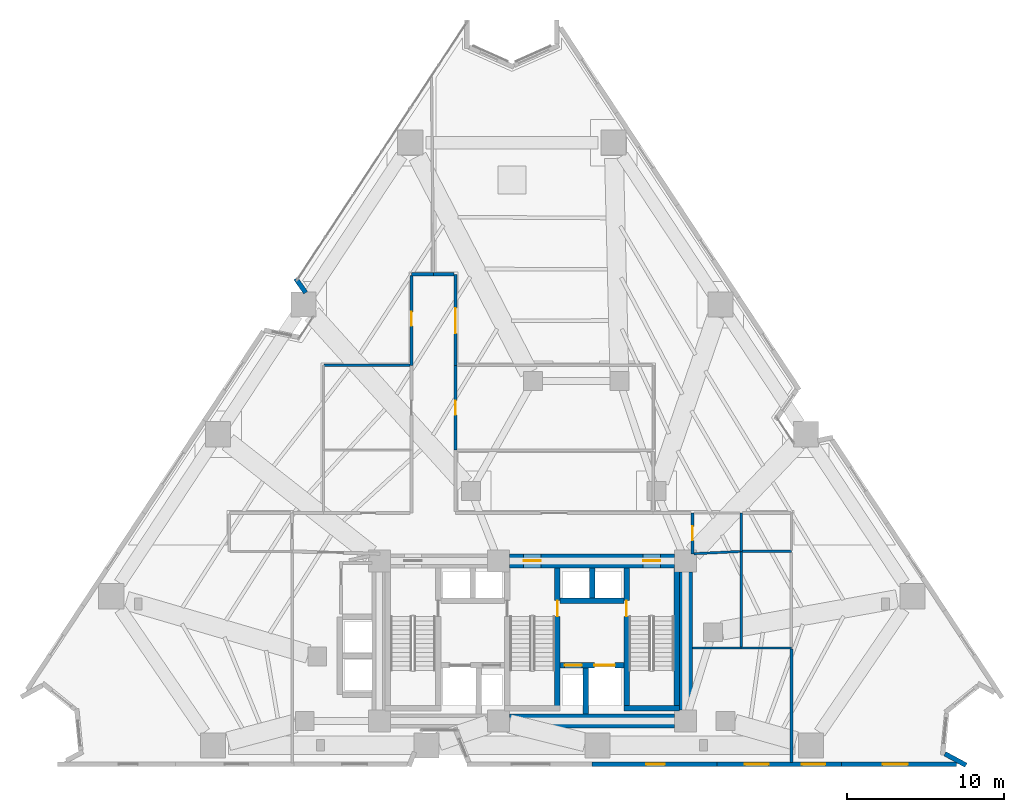
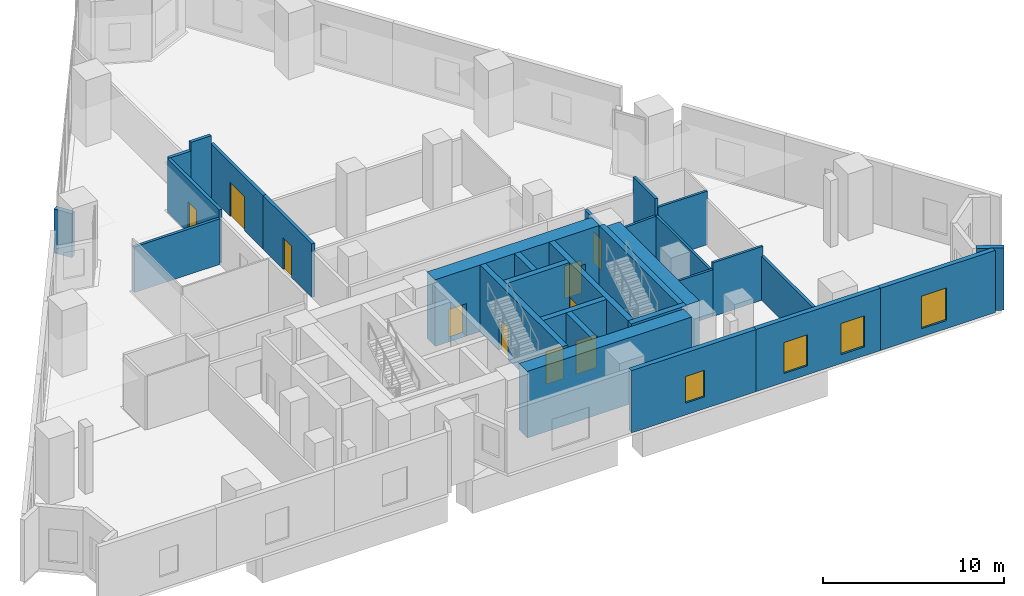
# One storey, part 9 of 15: 30 walls, 10 doors, 4 windows, 14 openings.
"""IFC4 building model written with IfcOpenShell, lengths in metres."""

from ifc_helpers import new_model, si_unit, direction, frame, frame_2d, origin, place, context, subcontext, project, spatial, rectangle, extrude, material, layer, layer_set, type_object, element, fill, save


model = new_model("IFC4")

# Units and contexts
model_context = context("Model", 3, precision=1e-05, world=origin(), true_north=direction((0.0, 1.0)))
body_context = subcontext(model_context, "Body", "Model", "MODEL_VIEW")
ifc_project = project(units=[si_unit("LENGTHUNIT", "METRE"), si_unit("AREAUNIT", "SQUARE_METRE"), si_unit("VOLUMEUNIT", "CUBIC_METRE"), si_unit("PLANEANGLEUNIT", "RADIAN"), si_unit("MASSUNIT", "GRAM", prefix="KILO")], contexts=[model_context])

# Site, building, storey
site_placement = place(None, origin())
site = spatial("IfcSite", under=ifc_project, at=site_placement, CompositionType="ELEMENT")
building_placement = place(site_placement, origin())
building = spatial("IfcBuilding", under=site, at=building_placement, Name="Almagre Mirador Tower", CompositionType="ELEMENT")
storey_placement = place(building_placement, frame((0.0, 0.0, 8.39990234375)))
storey = spatial("IfcBuildingStorey", under=building, at=storey_placement, Name="L01", CompositionType="ELEMENT", Elevation=8.39990234375)

# Walls
ifc_material_1 = material(Name="Precast concrete C50/60", Category="concrete")
ifc_layer_1 = layer(ifc_material_1, 0.300048828125)
ifc_layer_set_1 = layer_set([ifc_layer_1], Name="Precast concrete C50/60")
wall_type_1 = type_object("IfcWallType", Name="WAL-EXT-300", PredefinedType="SOLIDWALL", material=ifc_layer_set_1)
wall_1_placement = place(storey_placement, frame((22.85986328125, 31.830078125, 0.0), z_axis=(0.0, 0.0, 1.0), x_axis=(-0.572690112137, 0.819771941128, 0.0)))
element("IfcWall", 1, at=wall_1_placement, inside=storey, type_object=wall_type_1, Name="L01 expressed almagre precast frame wall 02", PredefinedType="SOLIDWALL", context=body_context, shape_type="SweptSolid", body=[
    extrude(rectangle(XDim=1.103759765625, YDim=0.300048828125, at=frame_2d((0.5517578125, 0.0))), origin(), (0.0, 0.0, 1.0), 2.97509765625),
])
wall_2_placement = place(storey_placement, frame((63.576416015625, 2.459716796875, 0.0), z_axis=(0.0, 0.0, 1.0), x_axis=(0.88021477324, -0.474575550329, 0.0)))
element("IfcWall", 2, at=wall_2_placement, inside=storey, type_object=wall_type_1, Name="L01 expressed almagre precast frame wall 19", PredefinedType="SOLIDWALL", context=body_context, shape_type="SweptSolid", body=[
    extrude(rectangle(XDim=1.530029296875, YDim=0.300048828125, at=frame_2d((0.76513671875, 0.0))), origin(), (0.0, 0.0, 1.0), 4.2001953125),
])

# Wall, opening, window
wall_3_placement = place(storey_placement, frame((64.324951171875, 1.800048828125, 0.0), z_axis=(0.0, 0.0, 1.0), x_axis=(-1.0, 0.0, 0.0)))
wall_3 = element("IfcWall", 3, at=wall_3_placement, inside=storey, type_object=wall_type_1, Name="L01 expressed almagre precast frame wall 20", PredefinedType="SOLIDWALL", context=body_context, shape_type="SweptSolid", body=[
    extrude(rectangle(XDim=7.33203125, YDim=0.300048828125, at=frame_2d((3.666015625, 0.0))), origin(), (0.0, 0.0, 1.0), 4.2001953125),
])
opening_1_placement = place(wall_3_placement, frame((3.110107421875, 0.0, 0.550048828125)))
opening_1 = element("IfcOpeningElement", 4, at=opening_1_placement, cuts=wall_3, Name="Opening WN-06", PredefinedType="OPENING", context=body_context, shape_type="SweptSolid", body=[
    extrude(rectangle(XDim=1.60009765625, YDim=2.199951171875, at=frame_2d((0.800048828125, 1.10009765625))), frame((0.0, 0.159902, 0.0), z_axis=(0.0, -1.0, 0.0), x_axis=(1.0, 0.0, 0.0)), (0.0, 0.0, 1.0), 0.320049),
])
ifc_material_2 = material(Name="Dark solar-control laminated hurricane glass", Category="glass")
window_type_1 = type_object("IfcWindowType", Name="WIN-1600X2200", PartitioningType="DOUBLE_PANEL_VERTICAL", PredefinedType="WINDOW", material=ifc_material_2)
window_1_placement = place(opening_1_placement, origin())
window_1 = element("IfcWindow", 5, at=window_1_placement, inside=storey, type_object=window_type_1, Name="L01 recessed hurricane window L01-GAL2-11", OverallHeight=2.199951171875, OverallWidth=1.60009765625, PartitioningType="SINGLE_PANEL", PredefinedType="WINDOW", context=body_context, shape_type="SweptSolid", body=[
    extrude(rectangle(XDim=1.60009765625, YDim=2.199951171875, at=frame_2d((0.800048828125, 1.10009765625))), frame((0.0, 0.030029296875, 0.0), z_axis=(0.0, -1.0, 0.0), x_axis=(1.0, 0.0, 0.0)), (0.0, 0.0, 1.0), 0.06005859375),
])
fill(opening_1, window_1)

# Wall, openings, windows
wall_4_placement = place(storey_placement, frame((56.992919921875, 1.800048828125, 0.0), z_axis=(0.0, 0.0, 1.0), x_axis=(-1.0, 0.0, 0.0)))
wall_4 = element("IfcWall", 6, at=wall_4_placement, inside=storey, type_object=wall_type_1, Name="L01 expressed almagre precast frame wall 21", PredefinedType="SOLIDWALL", context=body_context, shape_type="SweptSolid", body=[
    extrude(rectangle(XDim=7.947021484375, YDim=0.300048828125, at=frame_2d((3.9736328125, 0.0))), origin(), (0.0, 0.0, 1.0), 4.2001953125),
])
opening_2_placement = place(wall_4_placement, frame((4.64990234375, 0.0, 0.60009765625)))
opening_2 = element("IfcOpeningElement", 7, at=opening_2_placement, cuts=wall_4, Name="Opening WN-03", PredefinedType="OPENING", context=body_context, shape_type="SweptSolid", body=[
    extrude(rectangle(XDim=1.5, YDim=2.10009765625, at=frame_2d((0.75, 1.050048828125))), frame((0.0, 0.159902, 0.0), z_axis=(0.0, -1.0, 0.0), x_axis=(1.0, 0.0, 0.0)), (0.0, 0.0, 1.0), 0.320049),
])
opening_3_placement = place(wall_4_placement, frame((1.02490234375, 0.0, 0.60009765625)))
opening_3 = element("IfcOpeningElement", 8, at=opening_3_placement, cuts=wall_4, Name="Opening WN-03", PredefinedType="OPENING", context=body_context, shape_type="SweptSolid", body=[
    extrude(rectangle(XDim=1.5, YDim=2.10009765625, at=frame_2d((0.75, 1.050048828125))), frame((0.0, 0.159902, 0.0), z_axis=(0.0, -1.0, 0.0), x_axis=(1.0, 0.0, 0.0)), (0.0, 0.0, 1.0), 0.320049),
])
ifc_material_3 = material(Name="Dark solar-control laminated hurricane glass", Category="glass")
window_type_2 = type_object("IfcWindowType", Name="WIN-1500X2100", PartitioningType="DOUBLE_PANEL_VERTICAL", PredefinedType="WINDOW", material=ifc_material_3)
window_2_placement = place(opening_2_placement, origin())
window_2 = element("IfcWindow", 9, at=window_2_placement, inside=storey, type_object=window_type_2, Name="L01 recessed hurricane window L01-BKS-1", OverallHeight=2.10009765625, OverallWidth=1.5, PartitioningType="SINGLE_PANEL", PredefinedType="WINDOW", context=body_context, shape_type="SweptSolid", body=[
    extrude(rectangle(XDim=1.5, YDim=2.10009765625, at=frame_2d((0.75, 1.050048828125))), frame((0.0, 0.030029296875, 0.0), z_axis=(0.0, -1.0, 0.0), x_axis=(1.0, 0.0, 0.0)), (0.0, 0.0, 1.0), 0.06005859375),
])
fill(opening_2, window_2)
window_3_placement = place(opening_3_placement, origin())
window_3 = element("IfcWindow", 10, at=window_3_placement, inside=storey, type_object=window_type_2, Name="L01 recessed hurricane window L01-GAL2-11", OverallHeight=2.10009765625, OverallWidth=1.5, PartitioningType="SINGLE_PANEL", PredefinedType="WINDOW", context=body_context, shape_type="SweptSolid", body=[
    extrude(rectangle(XDim=1.5, YDim=2.10009765625, at=frame_2d((0.75, 1.050048828125))), frame((0.0, 0.030029296875, 0.0), z_axis=(0.0, -1.0, 0.0), x_axis=(1.0, 0.0, 0.0)), (0.0, 0.0, 1.0), 0.06005859375),
])
fill(opening_3, window_3)

# Wall, opening, window
wall_5_placement = place(storey_placement, frame((49.0458984375, 1.800048828125, 0.0), z_axis=(0.0, 0.0, 1.0), x_axis=(-1.0, 0.0, 0.0)))
wall_5 = element("IfcWall", 11, at=wall_5_placement, inside=storey, type_object=wall_type_1, Name="L01 expressed almagre precast frame wall 22", PredefinedType="SOLIDWALL", context=body_context, shape_type="SweptSolid", body=[
    extrude(rectangle(XDim=7.94677734375, YDim=0.300048828125, at=frame_2d((3.973388671875, 0.0))), origin(), (0.0, 0.0, 1.0), 4.2001953125),
])
opening_4_placement = place(wall_5_placement, frame((3.300048828125, 0.0, 0.800048828125)))
opening_4 = element("IfcOpeningElement", 12, at=opening_4_placement, cuts=wall_5, Name="Opening WN-04", PredefinedType="OPENING", context=body_context, shape_type="SweptSolid", body=[
    extrude(rectangle(XDim=1.199951171875, YDim=1.800048828125, at=frame_2d((0.60009765625, 0.89990234375))), frame((0.0, 0.159902, 0.0), z_axis=(0.0, -1.0, 0.0), x_axis=(1.0, 0.0, 0.0)), (0.0, 0.0, 1.0), 0.320049),
])
ifc_material_4 = material(Name="Dark solar-control laminated hurricane glass", Category="glass")
window_type_3 = type_object("IfcWindowType", Name="WIN-1200X1800", PartitioningType="SINGLE_PANEL", PredefinedType="WINDOW", material=ifc_material_4)
window_4_placement = place(opening_4_placement, origin())
window_4 = element("IfcWindow", 13, at=window_4_placement, inside=storey, type_object=window_type_3, Name="L01 recessed hurricane window L01-BKS-1", OverallHeight=1.800048828125, OverallWidth=1.199951171875, PartitioningType="SINGLE_PANEL", PredefinedType="WINDOW", context=body_context, shape_type="SweptSolid", body=[
    extrude(rectangle(XDim=1.199951171875, YDim=1.800048828125, at=frame_2d((0.60009765625, 0.89990234375))), frame((0.0, 0.030029296875, 0.0), z_axis=(0.0, -1.0, 0.0), x_axis=(1.0, 0.0, 0.0)), (0.0, 0.0, 1.0), 0.06005859375),
])
fill(opening_4, window_4)

# Walls
ifc_material_5 = material(Name="Gypsum acoustic stud partition", Category="other")
ifc_layer_2 = layer(ifc_material_5, 0.14990234375)
ifc_layer_set_2 = layer_set([ifc_layer_2], Name="Gypsum acoustic stud partition")
wall_type_2 = type_object("IfcWallType", Name="WAL-PRT-150-STD", PredefinedType="PARTITIONING", material=ifc_layer_set_2)
wall_6_placement = place(storey_placement, frame((50.60009765625, 9.199951171875, 0.0), z_axis=(0.0, 0.0, 1.0), x_axis=(-1.0, 0.0, 0.0)))
element("IfcWall", 14, at=wall_6_placement, inside=storey, type_object=wall_type_2, Name="L01 interior partition 016", PredefinedType="PARTITIONING", context=body_context, shape_type="SweptSolid", body=[
    extrude(rectangle(XDim=3.10009765625, YDim=0.14990234375, at=frame_2d((1.550048828125, 0.0))), origin(), (0.0, 0.0, 1.0), 3.1591796875),
])
wall_7_placement = place(storey_placement, frame((53.800048828125, 9.199951171875, 0.0), z_axis=(0.0, 0.0, 1.0), x_axis=(-1.0, 0.0, 0.0)))
element("IfcWall", 15, at=wall_7_placement, inside=storey, type_object=wall_type_2, Name="L01 interior partition 017", PredefinedType="PARTITIONING", context=body_context, shape_type="SweptSolid", body=[
    extrude(rectangle(XDim=3.199951171875, YDim=0.14990234375, at=frame_2d((1.60009765625, 0.0))), origin(), (0.0, 0.0, 1.0), 3.62109375),
])
wall_8_placement = place(storey_placement, frame((50.60009765625, 9.260009765625, 0.0), z_axis=(0.0, 0.0, 1.0), x_axis=(0.0, 1.0, 0.0)))
element("IfcWall", 16, at=wall_8_placement, inside=storey, type_object=wall_type_2, Name="L01 interior partition 020", PredefinedType="PARTITIONING", context=body_context, shape_type="SweptSolid", body=[
    extrude(rectangle(XDim=6.090087890625, YDim=0.14990234375, at=frame_2d((3.044921875, 0.0))), origin(), (0.0, 0.0, 1.0), 3.078125),
])
wall_9_placement = place(storey_placement, frame((50.5400390625, 15.34716796875, 0.0), z_axis=(0.0, 0.0, 1.0), x_axis=(-0.998830110694, -0.048357108796, 0.0)))
element("IfcWall", 17, at=wall_9_placement, inside=storey, type_object=wall_type_2, Name="L01 interior partition 021", PredefinedType="PARTITIONING", context=body_context, shape_type="SweptSolid", body=[
    extrude(rectangle(XDim=2.95849609375, YDim=0.14990234375, at=frame_2d((1.479248046875, 0.0))), origin(), (0.0, 0.0, 1.0), 3.078125),
])
wall_10_placement = place(storey_placement, frame((53.800048828125, 15.35009765625, 0.0), z_axis=(0.0, 0.0, 1.0), x_axis=(-1.0, 0.0, 0.0)))
element("IfcWall", 18, at=wall_10_placement, inside=storey, type_object=wall_type_2, Name="L01 interior partition 022", PredefinedType="PARTITIONING", context=body_context, shape_type="SweptSolid", body=[
    extrude(rectangle(XDim=3.14013671875, YDim=0.14990234375, at=frame_2d((1.570068359375, 0.0))), origin(), (0.0, 0.0, 1.0), 3.62109375),
])
ifc_material_6 = material(Name="Gypsum acoustic stud partition", Category="other")
ifc_layer_3 = layer(ifc_material_6, 0.175048828125)
ifc_layer_set_3 = layer_set([ifc_layer_3], Name="Gypsum acoustic stud partition")
wall_type_3 = type_object("IfcWallType", Name="WAL-PRT-175-AC", PredefinedType="PARTITIONING", material=ifc_layer_set_3)
wall_11_placement = place(storey_placement, frame((53.800048828125, 1.89990234375, 0.0), z_axis=(0.0, 0.0, 1.0), x_axis=(0.0, 1.0, 0.0)))
element("IfcWall", 19, at=wall_11_placement, inside=storey, type_object=wall_type_3, Name="L01 interior partition 018", PredefinedType="PARTITIONING", context=body_context, shape_type="SweptSolid", body=[
    extrude(rectangle(XDim=7.239990234375, YDim=0.175048828125, at=frame_2d((3.6201171875, 0.0))), origin(), (0.0, 0.0, 1.0), 2.97021484375),
])
wall_12_placement = place(storey_placement, frame((50.60009765625, 15.35009765625, 0.0), z_axis=(0.0, 0.0, 1.0), x_axis=(0.0, 1.0, 0.0)))
element("IfcWall", 20, at=wall_12_placement, inside=storey, type_object=wall_type_3, Name="L01 interior partition 027", PredefinedType="PARTITIONING", context=body_context, shape_type="SweptSolid", body=[
    extrude(rectangle(XDim=2.449951171875, YDim=0.175048828125, at=frame_2d((1.22509765625, 0.0))), origin(), (0.0, 0.0, 1.0), 4.2001953125),
])
wall_13_placement = place(storey_placement, frame((24.034912109375, 27.199951171875, 0.0), z_axis=(0.0, 0.0, 1.0), x_axis=(1.0, 0.0, 0.0)))
element("IfcWall", 21, at=wall_13_placement, inside=storey, type_object=wall_type_3, Name="L01 interior partition 033", PredefinedType="PARTITIONING", context=body_context, shape_type="SweptSolid", body=[
    extrude(rectangle(XDim=5.47998046875, YDim=0.175048828125, at=frame_2d((2.739990234375, 0.0))), origin(), (0.0, 0.0, 1.0), 3.078125),
])

# Wall, opening, door
ifc_material_7 = material(Name="Gypsum acoustic stud partition", Category="other")
ifc_layer_4 = layer(ifc_material_7, 0.199951171875)
ifc_layer_set_4 = layer_set([ifc_layer_4], Name="Gypsum acoustic stud partition")
wall_type_4 = type_object("IfcWallType", Name="WAL-PRT-200-EI60", PredefinedType="PARTITIONING", material=ifc_layer_set_4)
wall_14_placement = place(storey_placement, frame((47.5, 15.199951171875, 0.0), z_axis=(0.0, 0.0, 1.0), x_axis=(0.0, 1.0, 0.0)))
wall_14 = element("IfcWall", 22, at=wall_14_placement, inside=storey, type_object=wall_type_4, Name="L01 interior partition 003", PredefinedType="PARTITIONING", context=body_context, shape_type="SweptSolid", body=[
    extrude(rectangle(XDim=2.60009765625, YDim=0.199951171875, at=frame_2d((1.300048828125, 0.0))), origin(), (0.0, 0.0, 1.0), 3.078125),
])
opening_5_placement = place(wall_14_placement, frame((0.85009765625, 0.0, 0.0)))
opening_5 = element("IfcOpeningElement", 23, at=opening_5_placement, cuts=wall_14, Name="Opening ID-03", PredefinedType="OPENING", context=body_context, shape_type="SweptSolid", body=[
    extrude(rectangle(XDim=0.89990234375, YDim=2.10009765625, at=frame_2d((0.449951171875, 1.050048828125))), frame((0.0, 0.110098, 0.0), z_axis=(0.0, -1.0, 0.0), x_axis=(1.0, 0.0, 0.0)), (0.0, 0.0, 1.0), 0.219951),
])
ifc_material_8 = material(Name="Fire-rated hollow steel", Category="steel")
door_type_1 = type_object("IfcDoorType", Name="DOR-FD60-900X2100", OperationType="NOTDEFINED", PredefinedType="DOOR", material=ifc_material_8)
door_1_placement = place(opening_5_placement, origin())
door_1 = element("IfcDoor", 24, at=door_1_placement, inside=storey, type_object=door_type_1, Name="DR-0083 L01 interior door L01-COR to L01-CLB-4", OperationType="SINGLE_SWING_LEFT", OverallHeight=2.10009765625, OverallWidth=0.89990234375, PredefinedType="DOOR", context=body_context, shape_type="SweptSolid", body=[
    extrude(rectangle(XDim=0.89990234375, YDim=2.10009765625, at=frame_2d((0.449951171875, 1.050048828125))), frame((0.0, 0.02490234375, 0.0), z_axis=(0.0, -1.0, 0.0), x_axis=(1.0, 0.0, 0.0)), (0.0, 0.0, 1.0), 0.050048828125),
])
fill(opening_5, door_1)

# Wall
wall_15_placement = place(storey_placement, frame((31.0, 33.0, 0.0), z_axis=(0.0, 0.0, 1.0), x_axis=(-1.0, 0.0, 0.0)))
element("IfcWall", 25, at=wall_15_placement, inside=storey, type_object=wall_type_4, Name="L01 interior partition 005", PredefinedType="PARTITIONING", context=body_context, shape_type="SweptSolid", body=[
    extrude(rectangle(XDim=1.39990234375, YDim=0.199951171875, at=frame_2d((0.699951171875, 0.0))), origin(), (0.0, 0.0, 1.0), 3.62109375),
])

# Wall, opening, door
wall_16_placement = place(storey_placement, frame((29.60009765625, 32.9150390625, 0.0), z_axis=(0.0, 0.0, 1.0), x_axis=(0.0, -1.0, 0.0)))
wall_16 = element("IfcWall", 26, at=wall_16_placement, inside=storey, type_object=wall_type_4, Name="L01 interior partition 006", PredefinedType="PARTITIONING", context=body_context, shape_type="SweptSolid", body=[
    extrude(rectangle(XDim=5.715087890625, YDim=0.199951171875, at=frame_2d((2.857421875, 0.0))), origin(), (0.0, 0.0, 1.0), 3.62109375),
])
opening_6_placement = place(wall_16_placement, frame((2.305908203125, 0.0, 0.0)))
opening_6 = element("IfcOpeningElement", 27, at=opening_6_placement, cuts=wall_16, Name="Opening ID-03", PredefinedType="OPENING", context=body_context, shape_type="SweptSolid", body=[
    extrude(rectangle(XDim=0.89990234375, YDim=2.10009765625, at=frame_2d((0.449951171875, 1.050048828125))), frame((0.0, 0.110098, 0.0), z_axis=(0.0, -1.0, 0.0), x_axis=(1.0, 0.0, 0.0)), (0.0, 0.0, 1.0), 0.219951),
])
door_2_placement = place(opening_6_placement, origin())
door_2 = element("IfcDoor", 28, at=door_2_placement, inside=storey, type_object=door_type_1, Name="DR-0081 L01 interior door L01-COR to L01-CAFE-6", OperationType="SINGLE_SWING_LEFT", OverallHeight=2.10009765625, OverallWidth=0.89990234375, PredefinedType="DOOR", context=body_context, shape_type="SweptSolid", body=[
    extrude(rectangle(XDim=0.89990234375, YDim=2.10009765625, at=frame_2d((0.449951171875, 1.050048828125))), frame((0.0, 0.02490234375, 0.0), z_axis=(0.0, -1.0, 0.0), x_axis=(1.0, 0.0, 0.0)), (0.0, 0.0, 1.0), 0.050048828125),
])
fill(opening_6, door_2)

wall_17_placement = place(storey_placement, frame((32.39990234375, 21.800048828125, 0.0), z_axis=(0.0, 0.0, 1.0), x_axis=(0.0, 1.0, 0.0)))
wall_17 = element("IfcWall", 29, at=wall_17_placement, inside=storey, type_object=wall_type_4, Name="L01 interior partition 012", PredefinedType="PARTITIONING", context=body_context, shape_type="SweptSolid", body=[
    extrude(rectangle(XDim=5.39990234375, YDim=0.199951171875, at=frame_2d((2.699951171875, 0.0))), origin(), (0.0, 0.0, 1.0), 3.62109375),
])
opening_7_placement = place(wall_17_placement, frame((2.25, 0.0, 0.0)))
opening_7 = element("IfcOpeningElement", 30, at=opening_7_placement, cuts=wall_17, Name="Opening ID-03", PredefinedType="OPENING", context=body_context, shape_type="SweptSolid", body=[
    extrude(rectangle(XDim=0.89990234375, YDim=2.10009765625, at=frame_2d((0.449951171875, 1.050048828125))), frame((0.0, 0.110098, 0.0), z_axis=(0.0, -1.0, 0.0), x_axis=(1.0, 0.0, 0.0)), (0.0, 0.0, 1.0), 0.219951),
])
door_3_placement = place(opening_7_placement, origin())
door_3 = element("IfcDoor", 31, at=door_3_placement, inside=storey, type_object=door_type_1, Name="DR-0082 L01 interior door L01-COR to L01-CLB-10", OperationType="SINGLE_SWING_RIGHT", OverallHeight=2.10009765625, OverallWidth=0.89990234375, PredefinedType="DOOR", context=body_context, shape_type="SweptSolid", body=[
    extrude(rectangle(XDim=0.89990234375, YDim=2.10009765625, at=frame_2d((0.449951171875, 1.050048828125))), frame((0.0, 0.02490234375, 0.0), z_axis=(0.0, -1.0, 0.0), x_axis=(1.0, 0.0, 0.0)), (0.0, 0.0, 1.0), 0.050048828125),
])
fill(opening_7, door_3)

wall_18_placement = place(storey_placement, frame((32.39990234375, 27.199951171875, 0.0), z_axis=(0.0, 0.0, 1.0), x_axis=(0.0, 1.0, 0.0)))
wall_18 = element("IfcWall", 32, at=wall_18_placement, inside=storey, type_object=wall_type_4, Name="L01 interior partition 013", PredefinedType="PARTITIONING", context=body_context, shape_type="SweptSolid", body=[
    extrude(rectangle(XDim=5.800048828125, YDim=0.199951171875, at=frame_2d((2.89990234375, 0.0))), origin(), (0.0, 0.0, 1.0), 3.62109375),
])
opening_8_placement = place(wall_18_placement, frame((2.04052734375, 0.0, 0.0)))
opening_8 = element("IfcOpeningElement", 33, at=opening_8_placement, cuts=wall_18, Name="Opening ID-05", PredefinedType="OPENING", context=body_context, shape_type="SweptSolid", body=[
    extrude(rectangle(XDim=1.60009765625, YDim=2.300048828125, at=frame_2d((0.800048828125, 1.14990234375))), frame((0.0, 0.110098, 0.0), z_axis=(0.0, -1.0, 0.0), x_axis=(1.0, 0.0, 0.0)), (0.0, 0.0, 1.0), 0.219951),
])
ifc_material_9 = material(Name="Fire-rated acoustic timber", Category="wood")
door_type_2 = type_object("IfcDoorType", Name="DOR-FD60-1600X2300", OperationType="DOUBLE_DOOR_SINGLE_SWING", PredefinedType="DOOR", material=ifc_material_9)
door_4_placement = place(opening_8_placement, origin())
door_4 = element("IfcDoor", 34, at=door_4_placement, inside=storey, type_object=door_type_2, Name="DR-0086 L01 interior door L01-COR to L01-GAL2-11", OperationType="DOUBLE_DOOR_SINGLE_SWING", OverallHeight=2.300048828125, OverallWidth=1.60009765625, PredefinedType="DOOR", context=body_context, shape_type="SweptSolid", body=[
    extrude(rectangle(XDim=1.60009765625, YDim=2.300048828125, at=frame_2d((0.800048828125, 1.14990234375))), frame((0.0, 0.02490234375, 0.0), z_axis=(0.0, -1.0, 0.0), x_axis=(1.0, 0.0, 0.0)), (0.0, 0.0, 1.0), 0.050048828125),
])
fill(opening_8, door_4)

# Wall
wall_19_placement = place(storey_placement, frame((32.31494140625, 33.0, 0.0), z_axis=(0.0, 0.0, 1.0), x_axis=(-1.0, 0.0, 0.0)))
element("IfcWall", 35, at=wall_19_placement, inside=storey, type_object=wall_type_4, Name="L01 interior partition 014", PredefinedType="PARTITIONING", context=body_context, shape_type="SweptSolid", body=[
    extrude(rectangle(XDim=1.31494140625, YDim=0.199951171875, at=frame_2d((0.657470703125, 0.0))), origin(), (0.0, 0.0, 1.0), 4.2001953125),
])

# Wall, opening, door
ifc_material_10 = material(Name="Concrete C60/75", Category="concrete")
ifc_layer_5 = layer(ifc_material_10, 0.35009765625)
ifc_layer_set_5 = layer_set([ifc_layer_5], Name="Concrete C60/75")
wall_type_5 = type_object("IfcWallType", Name="WAL-SHF-350", PredefinedType="SOLIDWALL", material=ifc_layer_set_5)
wall_20_placement = place(storey_placement, frame((38.89990234375, 5.199951171875, 0.0), z_axis=(0.0, 0.0, 1.0), x_axis=(0.0, 1.0, 0.0)))
wall_20 = element("IfcWall", 36, at=wall_20_placement, inside=storey, type_object=wall_type_5, Name="L01 shaft wall ST2-E", PredefinedType="SOLIDWALL", context=body_context, shape_type="SweptSolid", body=[
    extrude(rectangle(XDim=9.10009765625, YDim=0.35009765625, at=frame_2d((4.550048828125, 0.0))), origin(), (0.0, 0.0, 1.0), 4.5),
])
opening_9_placement = place(wall_20_placement, frame((6.02001953125, 0.0, 0.0)))
opening_9 = element("IfcOpeningElement", 37, at=opening_9_placement, cuts=wall_20, Name="Opening FD-01", PredefinedType="OPENING", context=body_context, shape_type="SweptSolid", body=[
    extrude(rectangle(XDim=1.0, YDim=2.14990234375, at=frame_2d((0.5, 1.074951171875))), frame((0.0, 0.185049, 0.0), z_axis=(0.0, -1.0, 0.0), x_axis=(1.0, 0.0, 0.0)), (0.0, 0.0, 1.0), 0.370098),
])
ifc_material_11 = material(Name="Fire-rated hollow steel", Category="steel")
door_type_3 = type_object("IfcDoorType", Name="DOR-FFL-1000X2150", OperationType="NOTDEFINED", PredefinedType="DOOR", material=ifc_material_11)
door_5_placement = place(opening_9_placement, origin())
door_5 = element("IfcDoor", 38, at=door_5_placement, inside=storey, type_object=door_type_3, Name="DR-0076 L01 FFL2-ST2 smokeproof door", OperationType="SINGLE_SWING_LEFT", OverallHeight=2.14990234375, OverallWidth=1.0, PredefinedType="DOOR", context=body_context, shape_type="SweptSolid", body=[
    extrude(rectangle(XDim=1.0, YDim=2.14990234375, at=frame_2d((0.5, 1.074951171875))), frame((0.0, 0.02490234375, 0.0), z_axis=(0.0, -1.0, 0.0), x_axis=(1.0, 0.0, 0.0)), (0.0, 0.0, 1.0), 0.050048828125),
])
fill(opening_9, door_5)

wall_21_placement = place(storey_placement, frame((43.300048828125, 5.199951171875, 0.0), z_axis=(0.0, 0.0, 1.0), x_axis=(0.0, 1.0, 0.0)))
wall_21 = element("IfcWall", 39, at=wall_21_placement, inside=storey, type_object=wall_type_5, Name="L01 shaft wall ST3-W", PredefinedType="SOLIDWALL", context=body_context, shape_type="SweptSolid", body=[
    extrude(rectangle(XDim=9.10009765625, YDim=0.35009765625, at=frame_2d((4.550048828125, 0.0))), origin(), (0.0, 0.0, 1.0), 4.5),
])
opening_10_placement = place(wall_21_placement, frame((6.02001953125, 0.0, 0.0)))
opening_10 = element("IfcOpeningElement", 40, at=opening_10_placement, cuts=wall_21, Name="Opening FD-01", PredefinedType="OPENING", context=body_context, shape_type="SweptSolid", body=[
    extrude(rectangle(XDim=1.0, YDim=2.14990234375, at=frame_2d((0.5, 1.074951171875))), frame((0.0, 0.185049, 0.0), z_axis=(0.0, -1.0, 0.0), x_axis=(1.0, 0.0, 0.0)), (0.0, 0.0, 1.0), 0.370098),
])
door_6_placement = place(opening_10_placement, origin())
door_6 = element("IfcDoor", 41, at=door_6_placement, inside=storey, type_object=door_type_3, Name="DR-0077 L01 FFL2-ST3 smokeproof door", OperationType="SINGLE_SWING_RIGHT", OverallHeight=2.14990234375, OverallWidth=1.0, PredefinedType="DOOR", context=body_context, shape_type="SweptSolid", body=[
    extrude(rectangle(XDim=1.0, YDim=2.14990234375, at=frame_2d((0.5, 1.074951171875))), frame((0.0, 0.02490234375, 0.0), z_axis=(0.0, -1.0, 0.0), x_axis=(1.0, 0.0, 0.0)), (0.0, 0.0, 1.0), 0.050048828125),
])
fill(opening_10, door_6)

# Walls
wall_22_placement = place(storey_placement, frame((46.5, 5.199951171875, 0.0), z_axis=(0.0, 0.0, 1.0), x_axis=(0.0, 1.0, 0.0)))
element("IfcWall", 42, at=wall_22_placement, inside=storey, type_object=wall_type_5, Name="L01 shaft wall ST3-E", PredefinedType="SOLIDWALL", context=body_context, shape_type="SweptSolid", body=[
    extrude(rectangle(XDim=9.10009765625, YDim=0.35009765625, at=frame_2d((4.550048828125, 0.0))), origin(), (0.0, 0.0, 1.0), 4.5),
])
wall_23_placement = place(storey_placement, frame((43.125, 5.375, 0.0), z_axis=(0.0, 0.0, 1.0), x_axis=(1.0, 0.0, 0.0)))
element("IfcWall", 43, at=wall_23_placement, inside=storey, type_object=wall_type_5, Name="L01 shaft wall ST3-S", PredefinedType="SOLIDWALL", context=body_context, shape_type="SweptSolid", body=[
    extrude(rectangle(XDim=3.550048828125, YDim=0.35009765625, at=frame_2d((1.77490234375, 0.0))), origin(), (0.0, 0.0, 1.0), 4.5),
])

# Wall, openings, doors
wall_24_placement = place(storey_placement, frame((39.074951171875, 8.10009765625, 0.0), z_axis=(0.0, 0.0, 1.0), x_axis=(1.0, 0.0, 0.0)))
wall_24 = element("IfcWall", 44, at=wall_24_placement, inside=storey, type_object=wall_type_5, Name="L01 shaft wall FSAE2-N", PredefinedType="SOLIDWALL", context=body_context, shape_type="SweptSolid", body=[
    extrude(rectangle(XDim=4.050048828125, YDim=0.35009765625, at=frame_2d((2.02490234375, 0.0))), origin(), (0.0, 0.0, 1.0), 4.5),
])
opening_11_placement = place(wall_24_placement, frame((2.175048828125, 0.0, 0.0)))
opening_11 = element("IfcOpeningElement", 45, at=opening_11_placement, cuts=wall_24, Name="Opening LD-03", PredefinedType="OPENING", context=body_context, shape_type="SweptSolid", body=[
    extrude(rectangle(XDim=1.300048828125, YDim=2.25, at=frame_2d((0.64990234375, 1.125))), frame((0.0, 0.185049, 0.0), z_axis=(0.0, -1.0, 0.0), x_axis=(1.0, 0.0, 0.0)), (0.0, 0.0, 1.0), 0.370098),
])
opening_12_placement = place(wall_24_placement, frame((0.27490234375, 0.0, 0.0)))
opening_12 = element("IfcOpeningElement", 46, at=opening_12_placement, cuts=wall_24, Name="Opening LD-01", PredefinedType="OPENING", context=body_context, shape_type="SweptSolid", body=[
    extrude(rectangle(XDim=1.10009765625, YDim=2.199951171875, at=frame_2d((0.550048828125, 1.10009765625))), frame((0.0, 0.185049, 0.0), z_axis=(0.0, -1.0, 0.0), x_axis=(1.0, 0.0, 0.0)), (0.0, 0.0, 1.0), 0.370098),
])
ifc_material_12 = material(Name="Hollow stainless steel", Category="steel")
door_type_4 = type_object("IfcDoorType", Name="DOR-LD-1100X2200", OperationType="DOUBLE_DOOR_SLIDING", PredefinedType="DOOR", material=ifc_material_12)
door_7_placement = place(opening_12_placement, origin())
door_7 = element("IfcDoor", 47, at=door_7_placement, inside=storey, type_object=door_type_4, Name="DR-0090 L01 PL-L2 lift landing door", OperationType="DOUBLE_DOOR_SLIDING", OverallHeight=2.199951171875, OverallWidth=1.10009765625, PredefinedType="DOOR", context=body_context, shape_type="SweptSolid", body=[
    extrude(rectangle(XDim=1.10009765625, YDim=2.199951171875, at=frame_2d((0.550048828125, 1.10009765625))), frame((0.0, 0.02490234375, 0.0), z_axis=(0.0, -1.0, 0.0), x_axis=(1.0, 0.0, 0.0)), (0.0, 0.0, 1.0), 0.050048828125),
])
fill(opening_12, door_7)
ifc_material_13 = material(Name="Hollow stainless steel", Category="steel")
door_type_5 = type_object("IfcDoorType", Name="DOR-LD-1300X2250", OperationType="DOUBLE_DOOR_SLIDING", PredefinedType="DOOR", material=ifc_material_13)
door_8_placement = place(opening_11_placement, origin())
door_8 = element("IfcDoor", 48, at=door_8_placement, inside=storey, type_object=door_type_5, Name="DR-0088 L01 FSAE-2 lift landing door", OperationType="DOUBLE_DOOR_SLIDING", OverallHeight=2.25, OverallWidth=1.300048828125, PredefinedType="DOOR", context=body_context, shape_type="SweptSolid", body=[
    extrude(rectangle(XDim=1.300048828125, YDim=2.25, at=frame_2d((0.64990234375, 1.125))), frame((0.0, 0.02490234375, 0.0), z_axis=(0.0, -1.0, 0.0), x_axis=(1.0, 0.0, 0.0)), (0.0, 0.0, 1.0), 0.050048828125),
])
fill(opening_11, door_8)

# Walls
wall_25_placement = place(storey_placement, frame((40.699951171875, 5.0, 0.0), z_axis=(0.0, 0.0, 1.0), x_axis=(0.0, 1.0, 0.0)))
element("IfcWall", 49, at=wall_25_placement, inside=storey, type_object=wall_type_5, Name="L01 shaft wall FSAE2-W", PredefinedType="SOLIDWALL", context=body_context, shape_type="SweptSolid", body=[
    extrude(rectangle(XDim=2.925048828125, YDim=0.35009765625, at=frame_2d((1.46240234375, 0.0))), origin(), (0.0, 0.0, 1.0), 4.5),
])
wall_26_placement = place(storey_placement, frame((39.074951171875, 12.199951171875, 0.0), z_axis=(0.0, 0.0, 1.0), x_axis=(1.0, 0.0, 0.0)))
element("IfcWall", 50, at=wall_26_placement, inside=storey, type_object=wall_type_5, Name="L01 shaft wall PLH-S", PredefinedType="SOLIDWALL", context=body_context, shape_type="SweptSolid", body=[
    extrude(rectangle(XDim=4.050048828125, YDim=0.35009765625, at=frame_2d((2.02490234375, 0.0))), origin(), (0.0, 0.0, 1.0), 4.5),
])
wall_27_placement = place(storey_placement, frame((41.10009765625, 12.375, 0.0), z_axis=(0.0, 0.0, 1.0), x_axis=(0.0, 1.0, 0.0)))
element("IfcWall", 51, at=wall_27_placement, inside=storey, type_object=wall_type_5, Name="L01 shaft wall PLH-M", PredefinedType="SOLIDWALL", context=body_context, shape_type="SweptSolid", body=[
    extrude(rectangle(XDim=1.925048828125, YDim=0.35009765625, at=frame_2d((0.96240234375, 0.0))), origin(), (0.0, 0.0, 1.0), 4.5),
])
ifc_material_14 = material(Name="Concrete C70/85", Category="concrete")
ifc_layer_6 = layer(ifc_material_14, 0.89990234375)
ifc_layer_set_6 = layer_set([ifc_layer_6], Name="Concrete C70/85")
wall_type_6 = type_object("IfcWallType", Name="WAL-SHR-900", PredefinedType="SHEAR", material=ifc_layer_set_6)
wall_28_placement = place(storey_placement, frame((35.85009765625, 4.550048828125, 0.0), z_axis=(0.0, 0.0, 1.0), x_axis=(1.0, 0.0, 0.0)))
element("IfcWall", 52, at=wall_28_placement, inside=storey, type_object=wall_type_6, Name="L01 core shear wall S2", PredefinedType="SHEAR", context=body_context, shape_type="SweptSolid", body=[
    extrude(rectangle(XDim=10.5, YDim=0.89990234375, at=frame_2d((5.25, 0.0))), origin(), (0.0, 0.0, 1.0), 4.5),
])

# Wall, openings, doors
wall_29_placement = place(storey_placement, frame((35.85009765625, 14.75, 0.0), z_axis=(0.0, 0.0, 1.0), x_axis=(1.0, 0.0, 0.0)))
wall_29 = element("IfcWall", 53, at=wall_29_placement, inside=storey, type_object=wall_type_6, Name="L01 core shear wall N2", PredefinedType="SHEAR", context=body_context, shape_type="SweptSolid", body=[
    extrude(rectangle(XDim=10.5, YDim=0.89990234375, at=frame_2d((5.25, 0.0))), origin(), (0.0, 0.0, 1.0), 4.5),
])
opening_13_placement = place(wall_29_placement, frame((0.89990234375, 0.0, 0.0)))
opening_13 = element("IfcOpeningElement", 54, at=opening_13_placement, cuts=wall_29, Name="Opening SD-02", PredefinedType="OPENING", context=body_context, shape_type="SweptSolid", body=[
    extrude(rectangle(XDim=1.10009765625, YDim=2.199951171875, at=frame_2d((0.550048828125, 1.10009765625))), frame((0.0, 0.459951, 0.0), z_axis=(0.0, -1.0, 0.0), x_axis=(1.0, 0.0, 0.0)), (0.0, 0.0, 1.0), 0.919902),
])
opening_14_placement = place(wall_29_placement, frame((8.5, 0.0, 0.0)))
opening_14 = element("IfcOpeningElement", 55, at=opening_14_placement, cuts=wall_29, Name="Opening SD-02", PredefinedType="OPENING", context=body_context, shape_type="SweptSolid", body=[
    extrude(rectangle(XDim=1.10009765625, YDim=2.199951171875, at=frame_2d((0.550048828125, 1.10009765625))), frame((0.0, 0.459951, 0.0), z_axis=(0.0, -1.0, 0.0), x_axis=(1.0, 0.0, 0.0)), (0.0, 0.0, 1.0), 0.919902),
])
ifc_material_15 = material(Name="Fire-rated hollow steel", Category="steel")
door_type_6 = type_object("IfcDoorType", Name="DOR-ST-1100X2200", OperationType="NOTDEFINED", PredefinedType="DOOR", material=ifc_material_15)
door_9_placement = place(opening_13_placement, origin())
door_9 = element("IfcDoor", 56, at=door_9_placement, inside=storey, type_object=door_type_6, Name="DR-0092 L01 protected exit stair ST-2 door", OperationType="SINGLE_SWING_RIGHT", OverallHeight=2.199951171875, OverallWidth=1.10009765625, PredefinedType="DOOR", context=body_context, shape_type="SweptSolid", body=[
    extrude(rectangle(XDim=1.10009765625, YDim=2.199951171875, at=frame_2d((0.550048828125, 1.10009765625))), frame((0.0, 0.02490234375, 0.0), z_axis=(0.0, -1.0, 0.0), x_axis=(1.0, 0.0, 0.0)), (0.0, 0.0, 1.0), 0.050048828125),
])
fill(opening_13, door_9)
door_10_placement = place(opening_14_placement, origin())
door_10 = element("IfcDoor", 57, at=door_10_placement, inside=storey, type_object=door_type_6, Name="DR-0093 L01 protected exit stair ST-3 door", OperationType="SINGLE_SWING_LEFT", OverallHeight=2.199951171875, OverallWidth=1.10009765625, PredefinedType="DOOR", context=body_context, shape_type="SweptSolid", body=[
    extrude(rectangle(XDim=1.10009765625, YDim=2.199951171875, at=frame_2d((0.550048828125, 1.10009765625))), frame((0.0, 0.02490234375, 0.0), z_axis=(0.0, -1.0, 0.0), x_axis=(1.0, 0.0, 0.0)), (0.0, 0.0, 1.0), 0.050048828125),
])
fill(opening_14, door_10)

# Wall
wall_30_placement = place(storey_placement, frame((47.050048828125, 5.25, 0.0), z_axis=(0.0, 0.0, 1.0), x_axis=(0.0, 1.0, 0.0)))
element("IfcWall", 58, at=wall_30_placement, inside=storey, type_object=wall_type_6, Name="L01 core shear wall E1", PredefinedType="SHEAR", context=body_context, shape_type="SweptSolid", body=[
    extrude(rectangle(XDim=8.800048828125, YDim=0.89990234375, at=frame_2d((4.39990234375, 0.0))), origin(), (0.0, 0.0, 1.0), 4.5),
])

save(model, "model.ifc")
